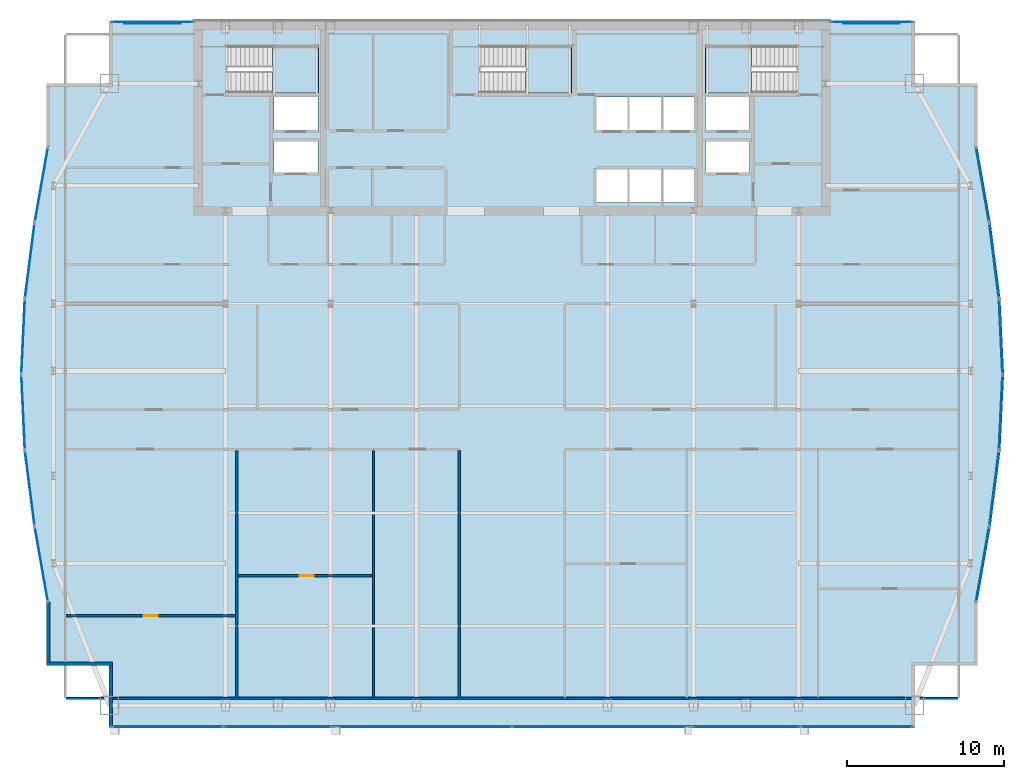
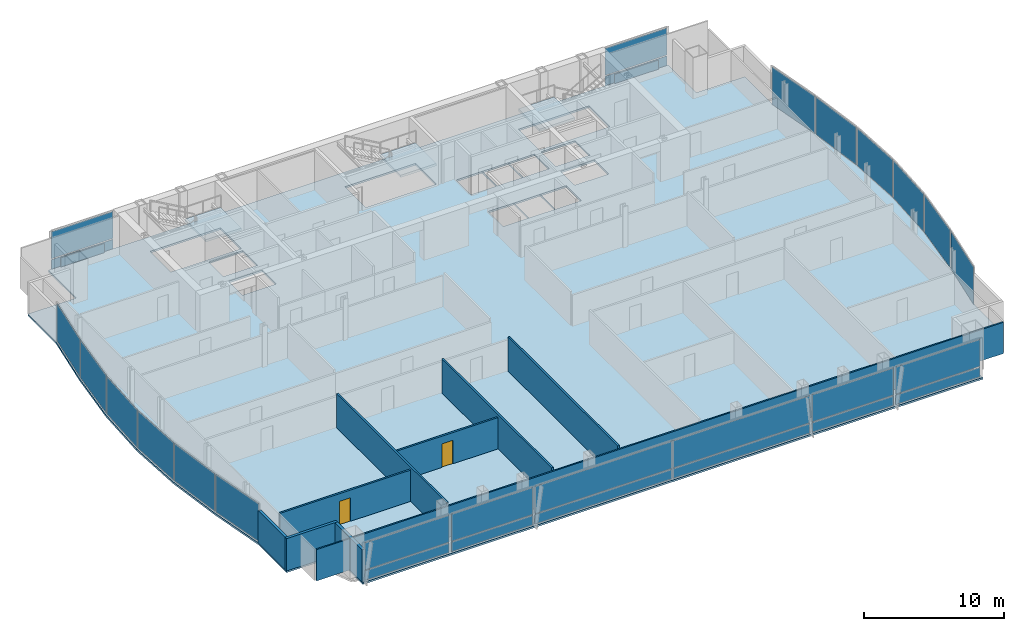
# One storey, part 24 of 30: 30 plates, 9 walls, 4 slabs, 2 doors, 2 openings, 22 elements without a shape of their own.
"""IFC4 building model written with IfcOpenShell, lengths in metres."""

import ifcopenshell
import ifcopenshell.guid

model = None  # the IFC model being written
_history = None  # IfcOwnerHistory: only IFC2X3 demands one
_inside = {}  # id of a spatial element -> (the spatial element, [elements in it])
_under = {}  # id of a project, library or spatial element -> (it, [spatial elements below it])
_declared = {}  # id of a project -> (the project, [libraries it declares])
_typed = {}  # id of a type object -> (the type object, [elements of that type])
_made_of = {}  # id of a material, layer set ... -> (it, [elements and type objects made of it])


def new_model(schema):
    """Start an empty IFC model of exactly this schema.

    Asked for "IFC4X3", IfcOpenShell would pick the latest addendum, in which some entities
    have other attributes; the version numbers below select the first issue.
    IFC2X3 requires an IfcOwnerHistory on every rooted entity: one is made here for all.
    """
    global model, _history
    if schema == "IFC4X3":
        model = ifcopenshell.file(schema_version=(4, 3, 0, 0))
    else:
        model = ifcopenshell.file(schema=schema)
    _inside.clear()
    _under.clear()
    _declared.clear()
    _typed.clear()
    _made_of.clear()
    _history = None
    if model.schema == "IFC2X3":
        org = make("IfcOrganization", Name="unknown")
        user = make(
            "IfcPersonAndOrganization",
            ThePerson=make("IfcPerson", FamilyName="unknown"),
            TheOrganization=org,
        )
        app = make(
            "IfcApplication",
            ApplicationDeveloper=org,
            Version="unknown",
            ApplicationFullName="unknown",
            ApplicationIdentifier="unknown",
        )
        _history = make(
            "IfcOwnerHistory",
            OwningUser=user,
            OwningApplication=app,
            ChangeAction="ADDED",
            CreationDate=0,
        )
    return model


def make(cls, **values):
    """One entity of the class cls with the attributes given. An attribute that is None is left unset."""
    return model.create_entity(
        cls, **{name: value for name, value in values.items() if value is not None}
    )


def rooted(cls, **values):
    """An entity with a GlobalId (a new one), such as an element, a storey or a relation."""
    return make(cls, GlobalId=ifcopenshell.guid.new(), OwnerHistory=_history, **values)


def si_unit(unit_type, name, prefix=None):
    """IfcSIUnit, for example si_unit("LENGTHUNIT", "METRE", prefix="MILLI")."""
    return make("IfcSIUnit", UnitType=unit_type, Prefix=prefix, Name=name)


def assignment(units):
    """IfcUnitAssignment: the units of a project."""
    return None if units is None else make("IfcUnitAssignment", Units=units)


def point(xyz):
    """IfcCartesianPoint."""
    return None if xyz is None else make("IfcCartesianPoint", Coordinates=xyz)


def direction(xyz):
    """IfcDirection."""
    return None if xyz is None else make("IfcDirection", DirectionRatios=xyz)


def frame(location, z_axis=None, x_axis=None):
    """IfcAxis2Placement3D, a coordinate frame: its origin and axes. An axis left out is left unset."""
    return make(
        "IfcAxis2Placement3D",
        Location=point(location),
        Axis=direction(z_axis),
        RefDirection=direction(x_axis),
    )


def frame_2d(location, x_axis=None):
    """IfcAxis2Placement2D, a coordinate frame in the plane: its origin and x axis."""
    return make(
        "IfcAxis2Placement2D", Location=point(location), RefDirection=direction(x_axis)
    )


def origin():
    """The frame at (0, 0, 0) with its axes left unset."""
    return frame((0.0, 0.0, 0.0))


def origin_2d():
    """The frame at (0, 0) in the plane with its x axis left unset."""
    return frame_2d((0.0, 0.0))


def place(relative_to, where):
    """IfcLocalPlacement: puts the frame where relative to a parent placement (None: the world)."""
    return make(
        "IfcLocalPlacement", PlacementRelTo=relative_to, RelativePlacement=where
    )


def context(
    kind, dimensions, precision=None, world=None, true_north=None, identifier=None
):
    """IfcGeometricRepresentationContext, for example the 3D "Model" context."""
    return make(
        "IfcGeometricRepresentationContext",
        ContextIdentifier=identifier,
        ContextType=kind,
        CoordinateSpaceDimension=dimensions,
        Precision=precision,
        WorldCoordinateSystem=world,
        TrueNorth=true_north,
    )


def subcontext(parent, identifier, kind, view, scale=None):
    """IfcGeometricRepresentationSubContext, for example "Body" below "Model"."""
    return make(
        "IfcGeometricRepresentationSubContext",
        ContextIdentifier=identifier,
        ContextType=kind,
        ParentContext=parent,
        TargetScale=scale,
        TargetView=view,
    )


def project(units=None, contexts=None):
    """IfcProject with its units and contexts."""
    return rooted(
        "IfcProject",
        Name="project",
        RepresentationContexts=contexts,
        UnitsInContext=assignment(units),
    )


def spatial(cls, under=None, at=None, **own):
    """A site, building, storey or space (cls), placed at a placement, below another one or the project."""
    s = rooted(cls, ObjectPlacement=at, **own)
    if under is not None:
        _under.setdefault(under.id(), (under, []))[1].append(s)
    return s


def polyline(points):
    """IfcPolyline through the points."""
    return make("IfcPolyline", Points=[point(p) for p in points])


def profile(cls, at=None, kind="AREA", **sizes):
    """A parametric profile (cls). Its sizes go by their IFC names, for example OverallWidth=200.0."""
    return make(cls, ProfileType=kind, Position=at, **sizes)


def rectangle(**sizes):
    """IfcRectangleProfileDef."""
    return profile("IfcRectangleProfileDef", **sizes)


def outline(outer, holes=None, kind="AREA"):
    """IfcArbitraryClosedProfileDef: a profile drawn as a closed curve; with holes, ...WithVoids."""
    if holes is None:
        return make("IfcArbitraryClosedProfileDef", ProfileType=kind, OuterCurve=outer)
    return make(
        "IfcArbitraryProfileDefWithVoids",
        ProfileType=kind,
        OuterCurve=outer,
        InnerCurves=holes,
    )


def extrude(swept, where, along, depth):
    """IfcExtrudedAreaSolid: the profile swept, set in the frame where, extruded along a direction by depth."""
    return make(
        "IfcExtrudedAreaSolid",
        SweptArea=swept,
        Position=where,
        ExtrudedDirection=direction(along),
        Depth=depth,
    )


def shape(context_of_items, identifier, shape_type, items):
    """IfcShapeRepresentation: the items that make up one representation, for example the "Body"."""
    return make(
        "IfcShapeRepresentation",
        ContextOfItems=context_of_items,
        RepresentationIdentifier=identifier,
        RepresentationType=shape_type,
        Items=items,
    )


def material(Name=None, Category=None):
    """IfcMaterial."""
    return make("IfcMaterial", Name=Name, Category=Category)


def layer(
    of_material, thickness, ventilated=None, Name=None, Category=None, Priority=None
):
    """IfcMaterialLayer: one layer of a wall or slab, of a material (None: an air gap)."""
    return make(
        "IfcMaterialLayer",
        Material=of_material,
        LayerThickness=thickness,
        IsVentilated=ventilated,
        Name=Name,
        Category=Category,
        Priority=Priority,
    )


def layer_set(layers, Name=None):
    """IfcMaterialLayerSet."""
    return make("IfcMaterialLayerSet", MaterialLayers=layers, LayerSetName=Name)


def made_of(thing, what):
    """Note that an element or type object is made of a material, layer set ...; save() writes the relation."""
    if what is not None:
        _made_of.setdefault(what.id(), (what, []))[1].append(thing)
    return thing


def type_object(cls, material=None, **own):
    """A type object (cls), such as IfcWallType, which elements share."""
    return made_of(rooted(cls, **own), material)


def element(
    cls,
    number,
    at=None,
    inside=None,
    cuts=None,
    type_object=None,
    material=None,
    context=None,
    identifier="Body",
    shape_type=None,
    held_by="IfcProductDefinitionShape",
    body=None,
    shapes=None,
    **own,
):
    """One element of the class cls, such as IfcWall. Its Tag is "e" and its number.

    at: its placement. inside: the storey or other place that contains it. cuts: it is an
    opening in that element (IfcRelVoidsElement). A single representation is given by context,
    identifier, shape_type and body (its items); several are given by shapes. held_by: the class
    of the entity that holds the representations. save() writes the other relations.
    """
    e = rooted(cls, Tag="e%d" % number, ObjectPlacement=at, **own)
    if body is not None:
        shapes = [shape(context, identifier, shape_type, body)]
    if shapes is not None:
        e.Representation = make(held_by, Representations=shapes)
    if inside is not None:
        _inside.setdefault(inside.id(), (inside, []))[1].append(e)
    if cuts is not None:
        rooted(
            "IfcRelVoidsElement", RelatingBuildingElement=cuts, RelatedOpeningElement=e
        )
    if type_object is not None:
        _typed.setdefault(type_object.id(), (type_object, []))[1].append(e)
    return made_of(e, material)


def fill(opening, filler):
    """IfcRelFillsElement: the door or window that sits in an opening."""
    return rooted(
        "IfcRelFillsElement",
        RelatingOpeningElement=opening,
        RelatedBuildingElement=filler,
    )


def aggregate(whole, parts):
    """IfcRelAggregates: a whole, such as a stair, and the parts it consists of."""
    return rooted("IfcRelAggregates", RelatingObject=whole, RelatedObjects=parts)


def save(model, path):
    """Write the relations noted so far, then the file.

    IfcRelAggregates (storeys below a building ...), IfcRelContainedInSpatialStructure (elements
    in a storey), IfcRelDefinesByType, IfcRelAssociatesMaterial and IfcRelDeclares: one each for
    every whole, place, type object, material and project.
    """
    for whole, parts in _under.values():
        aggregate(whole, parts)
    for where, things in _inside.values():
        rooted(
            "IfcRelContainedInSpatialStructure",
            RelatedElements=things,
            RelatingStructure=where,
        )
    for kind, things in _typed.values():
        rooted("IfcRelDefinesByType", RelatedObjects=things, RelatingType=kind)
    for what, things in _made_of.values():
        rooted("IfcRelAssociatesMaterial", RelatedObjects=things, RelatingMaterial=what)
    for by, libraries in _declared.values():
        rooted("IfcRelDeclares", RelatingContext=by, RelatedDefinitions=libraries)
    model.write(path)


model = new_model("IFC4")

# Units and contexts
model_context = context("Model", 3, precision=1e-05, world=origin(), true_north=direction((0.0, 1.0)))
body_context = subcontext(model_context, "Body", "Model", "MODEL_VIEW")
ifc_project = project(units=[si_unit("LENGTHUNIT", "METRE"), si_unit("AREAUNIT", "SQUARE_METRE"), si_unit("VOLUMEUNIT", "CUBIC_METRE"), si_unit("PLANEANGLEUNIT", "RADIAN"), si_unit("MASSUNIT", "GRAM", prefix="KILO")], contexts=[model_context])

# Site, building, storey
site_placement = place(None, origin())
site = spatial("IfcSite", under=ifc_project, at=site_placement, CompositionType="ELEMENT")
building_placement = place(site_placement, origin())
building = spatial("IfcBuilding", under=site, at=building_placement, Name="Khoronbel Lancet Exchange", CompositionType="ELEMENT")
storey_placement = place(building_placement, frame((0.0, 0.0, 203.0)))
storey = spatial("IfcBuildingStorey", under=building, at=storey_placement, Name="L51", CompositionType="ELEMENT", Elevation=203.0)

# Curtain wall, plate
ifc_material_1 = material(Name="Low-E Solar Control Insulating Glass", Category="glass")
curtain_wall_type_1 = type_object("IfcCurtainWallType", Name="CW-4", PredefinedType="NOTDEFINED", material=ifc_material_1)
curtain_wall_1_placement = place(storey_placement, origin())
curtain_wall_1 = element("IfcCurtainWall", 1, at=curtain_wall_1_placement, inside=storey, type_object=curtain_wall_type_1, Name="Unitised curtain wall CW-L51-E05", PredefinedType="NOTDEFINED")
ifc_material_2 = material(Name="Bronze-Anodised Aluminium 6063-T6", Category="aluminium")
ifc_layer_1 = layer(ifc_material_2, 0.050048828125, Name="Bronze-Anodised Aluminium 6063-T6")
ifc_layer_set_1 = layer_set([ifc_layer_1], Name="Bronze-Anodised Aluminium 6063-T6")
plate_type_1 = type_object("IfcPlateType", Name="PLT-CSP1", PredefinedType="SHEET", material=ifc_layer_set_1)
plate_1_placement = place(storey_placement, frame((5.780517578125, 23.960693359375, 0.0849609375), z_axis=(0.0, 0.0, 1.0), x_axis=(-0.127437435866, 0.991846611095, 0.0)))
plate_1 = element("IfcPlate", 2, at=plate_1_placement, type_object=plate_type_1, Name="CW4 panel 1.1", PredefinedType="CURTAIN_PANEL", context=body_context, shape_type="SweptSolid", body=[
    extrude(rectangle(XDim=4.717529296875, YDim=0.0380859375, at=origin_2d()), origin(), (0.0, 0.0, 1.0), 3.27001953125),
])
aggregate(curtain_wall_1, [plate_1])

curtain_wall_2_placement = place(storey_placement, origin())
curtain_wall_2 = element("IfcCurtainWall", 3, at=curtain_wall_2_placement, inside=storey, type_object=curtain_wall_type_1, Name="Unitised curtain wall CW-L51-E06", PredefinedType="NOTDEFINED")
plate_2_placement = place(storey_placement, frame((5.35693359375, 28.787353515625, 0.0849609375), z_axis=(0.0, 0.0, 1.0), x_axis=(-0.046970110118, 0.998896295296, 0.0)))
plate_2 = element("IfcPlate", 4, at=plate_2_placement, type_object=plate_type_1, Name="CW4 panel 1.1", PredefinedType="CURTAIN_PANEL", context=body_context, shape_type="SweptSolid", body=[
    extrude(rectangle(XDim=4.6806640625, YDim=0.0380859375, at=origin_2d()), origin(), (0.0, 0.0, 1.0), 3.27001953125),
])
aggregate(curtain_wall_2, [plate_2])

curtain_wall_3_placement = place(storey_placement, origin())
curtain_wall_3 = element("IfcCurtainWall", 5, at=curtain_wall_3_placement, inside=storey, type_object=curtain_wall_type_1, Name="Unitised curtain wall CW-L51-E07", PredefinedType="NOTDEFINED")
plate_3_placement = place(storey_placement, frame((5.35693359375, 33.61279296875, 0.0849609375), z_axis=(0.0, 0.0, 1.0), x_axis=(0.046970110118, 0.998896295296, 0.0)))
plate_3 = element("IfcPlate", 6, at=plate_3_placement, type_object=plate_type_1, Name="CW4 panel 1.1", PredefinedType="CURTAIN_PANEL", context=body_context, shape_type="SweptSolid", body=[
    extrude(rectangle(XDim=4.6806640625, YDim=0.0380859375, at=origin_2d()), origin(), (0.0, 0.0, 1.0), 3.27001953125),
])
aggregate(curtain_wall_3, [plate_3])

curtain_wall_4_placement = place(storey_placement, origin())
curtain_wall_4 = element("IfcCurtainWall", 7, at=curtain_wall_4_placement, inside=storey, type_object=curtain_wall_type_1, Name="Unitised curtain wall CW-L51-E08", PredefinedType="NOTDEFINED")
plate_4_placement = place(storey_placement, frame((5.780517578125, 38.439208984375, 0.0849609375), z_axis=(0.0, 0.0, 1.0), x_axis=(0.127437435866, 0.991846611095, 0.0)))
plate_4 = element("IfcPlate", 8, at=plate_4_placement, type_object=plate_type_1, Name="CW4 panel 1.1", PredefinedType="CURTAIN_PANEL", context=body_context, shape_type="SweptSolid", body=[
    extrude(rectangle(XDim=4.717529296875, YDim=0.0380859375, at=origin_2d()), origin(), (0.0, 0.0, 1.0), 3.27001953125),
])
aggregate(curtain_wall_4, [plate_4])

curtain_wall_type_2 = type_object("IfcCurtainWallType", Name="CW-3", PredefinedType="NOTDEFINED", material=ifc_material_1)
curtain_wall_5_placement = place(storey_placement, origin())
curtain_wall_5 = element("IfcCurtainWall", 9, at=curtain_wall_5_placement, inside=storey, type_object=curtain_wall_type_2, Name="Unitised curtain wall CW-L51-NWFLK", PredefinedType="NOTDEFINED")
plate_5_placement = place(storey_placement, frame((13.580078125, 53.550048828125, 0.0498046875), z_axis=(0.0, 0.0, 1.0), x_axis=(-1.0, 0.0, 0.0)))
plate_5 = element("IfcPlate", 10, at=plate_5_placement, type_object=plate_type_1, Name="Insulated bronze spandrel cassette CW-L51-NWFLK", PredefinedType="SHEET", context=body_context, shape_type="SweptSolid", body=[
    extrude(rectangle(XDim=3.60009765625, YDim=0.050048828125, at=origin_2d()), origin(), (0.0, 0.0, 1.0), 0.800048828125),
])

curtain_wall_6_placement = place(storey_placement, origin())
curtain_wall_6 = element("IfcCurtainWall", 11, at=curtain_wall_6_placement, inside=storey, type_object=curtain_wall_type_2, Name="Unitised curtain wall CW-L51-NEFLK", PredefinedType="NOTDEFINED")
plate_6_placement = place(storey_placement, frame((59.320068359375, 53.550048828125, 0.0498046875), z_axis=(0.0, 0.0, 1.0), x_axis=(-1.0, 0.0, 0.0)))
plate_6 = element("IfcPlate", 12, at=plate_6_placement, type_object=plate_type_1, Name="Insulated bronze spandrel cassette CW-L51-NEFLK", PredefinedType="SHEET", context=body_context, shape_type="SweptSolid", body=[
    extrude(rectangle(XDim=3.60009765625, YDim=0.050048828125, at=origin_2d()), origin(), (0.0, 0.0, 1.0), 0.800048828125),
])

curtain_wall_7_placement = place(storey_placement, origin())
curtain_wall_7 = element("IfcCurtainWall", 13, at=curtain_wall_7_placement, inside=storey, type_object=curtain_wall_type_1, Name="Unitised curtain wall CW-L51-E18", PredefinedType="NOTDEFINED")
plate_7_placement = place(storey_placement, frame((67.119384765625, 38.439208984375, 0.0849609375), z_axis=(0.0, 0.0, 1.0), x_axis=(0.127437435866, -0.991846611095, 0.0)))
plate_7 = element("IfcPlate", 14, at=plate_7_placement, type_object=plate_type_1, Name="CW4 panel 1.1", PredefinedType="CURTAIN_PANEL", context=body_context, shape_type="SweptSolid", body=[
    extrude(rectangle(XDim=4.717529296875, YDim=0.0380859375, at=origin_2d()), origin(), (0.0, 0.0, 1.0), 3.27001953125),
])
aggregate(curtain_wall_7, [plate_7])

curtain_wall_8_placement = place(storey_placement, origin())
curtain_wall_8 = element("IfcCurtainWall", 15, at=curtain_wall_8_placement, inside=storey, type_object=curtain_wall_type_1, Name="Unitised curtain wall CW-L51-E19", PredefinedType="NOTDEFINED")
plate_8_placement = place(storey_placement, frame((67.54296875, 33.61279296875, 0.0849609375), z_axis=(0.0, 0.0, 1.0), x_axis=(0.046970110118, -0.998896295296, 0.0)))
plate_8 = element("IfcPlate", 16, at=plate_8_placement, type_object=plate_type_1, Name="CW4 panel 1.1", PredefinedType="CURTAIN_PANEL", context=body_context, shape_type="SweptSolid", body=[
    extrude(rectangle(XDim=4.6806640625, YDim=0.0380859375, at=origin_2d()), origin(), (0.0, 0.0, 1.0), 3.27001953125),
])
aggregate(curtain_wall_8, [plate_8])

curtain_wall_9_placement = place(storey_placement, origin())
curtain_wall_9 = element("IfcCurtainWall", 17, at=curtain_wall_9_placement, inside=storey, type_object=curtain_wall_type_1, Name="Unitised curtain wall CW-L51-E20", PredefinedType="NOTDEFINED")
plate_9_placement = place(storey_placement, frame((67.54296875, 28.787353515625, 0.0849609375), z_axis=(0.0, 0.0, 1.0), x_axis=(-0.046970110118, -0.998896295296, 0.0)))
plate_9 = element("IfcPlate", 18, at=plate_9_placement, type_object=plate_type_1, Name="CW4 panel 1.1", PredefinedType="CURTAIN_PANEL", context=body_context, shape_type="SweptSolid", body=[
    extrude(rectangle(XDim=4.6806640625, YDim=0.0380859375, at=origin_2d()), origin(), (0.0, 0.0, 1.0), 3.27001953125),
])
aggregate(curtain_wall_9, [plate_9])

curtain_wall_10_placement = place(storey_placement, origin())
curtain_wall_10 = element("IfcCurtainWall", 19, at=curtain_wall_10_placement, inside=storey, type_object=curtain_wall_type_1, Name="Unitised curtain wall CW-L51-E21", PredefinedType="NOTDEFINED")
plate_10_placement = place(storey_placement, frame((67.119384765625, 23.960693359375, 0.0849609375), z_axis=(0.0, 0.0, 1.0), x_axis=(-0.127437435866, -0.991846611095, 0.0)))
plate_10 = element("IfcPlate", 20, at=plate_10_placement, type_object=plate_type_1, Name="CW4 panel 1.1", PredefinedType="CURTAIN_PANEL", context=body_context, shape_type="SweptSolid", body=[
    extrude(rectangle(XDim=4.717529296875, YDim=0.0380859375, at=origin_2d()), origin(), (0.0, 0.0, 1.0), 3.27001953125),
])
aggregate(curtain_wall_10, [plate_10])

# Curtain wall, plates
curtain_wall_11_placement = place(storey_placement, origin())
curtain_wall_11 = element("IfcCurtainWall", 21, at=curtain_wall_11_placement, inside=storey, type_object=curtain_wall_type_2, Name="Unitised curtain wall CW-L51-SWB", PredefinedType="NOTDEFINED")
plate_11_placement = place(storey_placement, frame((21.550048828125, 8.7900390625, 0.0849609375), z_axis=(0.0, 0.0, 1.0), x_axis=(1.0, 0.0, 0.0)))
plate_11 = element("IfcPlate", 22, at=plate_11_placement, type_object=plate_type_1, Name="CW3 panel 1.1", PredefinedType="CURTAIN_PANEL", context=body_context, shape_type="SweptSolid", body=[
    extrude(rectangle(XDim=6.72998046875, YDim=0.0380859375, at=origin_2d()), origin(), (0.0, 0.0, 1.0), 0.822509765625),
])
plate_12_placement = place(storey_placement, frame((21.550048828125, 8.7900390625, 0.99267578125), z_axis=(0.0, 0.0, 1.0), x_axis=(1.0, 0.0, 0.0)))
plate_12 = element("IfcPlate", 23, at=plate_12_placement, type_object=plate_type_1, Name="CW3 panel 1.2", PredefinedType="CURTAIN_PANEL", context=body_context, shape_type="SweptSolid", body=[
    extrude(rectangle(XDim=6.72998046875, YDim=0.0380859375, at=origin_2d()), origin(), (0.0, 0.0, 1.0), 2.362548828125),
])
aggregate(curtain_wall_11, [plate_11, plate_12])

curtain_wall_12_placement = place(storey_placement, origin())
curtain_wall_12 = element("IfcCurtainWall", 24, at=curtain_wall_12_placement, inside=storey, type_object=curtain_wall_type_2, Name="Unitised curtain wall CW-L51-SEB", PredefinedType="NOTDEFINED")
plate_13_placement = place(storey_placement, frame((51.35009765625, 8.7900390625, 0.0849609375), z_axis=(0.0, 0.0, 1.0), x_axis=(1.0, 0.0, 0.0)))
plate_13 = element("IfcPlate", 25, at=plate_13_placement, type_object=plate_type_1, Name="CW3 panel 1.1", PredefinedType="CURTAIN_PANEL", context=body_context, shape_type="SweptSolid", body=[
    extrude(rectangle(XDim=6.72998046875, YDim=0.0380859375, at=origin_2d()), origin(), (0.0, 0.0, 1.0), 0.822509765625),
])
plate_14_placement = place(storey_placement, frame((51.35009765625, 8.7900390625, 0.99267578125), z_axis=(0.0, 0.0, 1.0), x_axis=(1.0, 0.0, 0.0)))
plate_14 = element("IfcPlate", 26, at=plate_14_placement, type_object=plate_type_1, Name="CW3 panel 1.2", PredefinedType="CURTAIN_PANEL", context=body_context, shape_type="SweptSolid", body=[
    extrude(rectangle(XDim=6.72998046875, YDim=0.0380859375, at=origin_2d()), origin(), (0.0, 0.0, 1.0), 2.362548828125),
])
aggregate(curtain_wall_12, [plate_13, plate_14])

# Plate
ifc_layer_2 = layer(ifc_material_1, 0.035888671875, Name="Low-E Solar Control Insulating Glass")
ifc_layer_set_2 = layer_set([ifc_layer_2], Name="Low-E Solar Control Insulating Glass")
plate_type_2 = type_object("IfcPlateType", Name="PLT-CWP1", PredefinedType="CURTAIN_PANEL", material=ifc_layer_set_2)
plate_15_placement = place(storey_placement, frame((13.580078125, 53.610107421875, 0.0849609375), z_axis=(0.0, 0.0, 1.0), x_axis=(-1.0, 0.0, 0.0)))
plate_15 = element("IfcPlate", 27, at=plate_15_placement, type_object=plate_type_2, Name="CW3 panel 1.1", PredefinedType="CURTAIN_PANEL", context=body_context, shape_type="SweptSolid", body=[
    extrude(rectangle(XDim=5.110107421875, YDim=0.0380859375, at=origin_2d()), origin(), (0.0, 0.0, 1.0), 0.822509765625),
])

plate_16_placement = place(storey_placement, frame((13.580078125, 53.610107421875, 0.99267578125), z_axis=(0.0, 0.0, 1.0), x_axis=(-1.0, 0.0, 0.0)))
plate_16 = element("IfcPlate", 28, at=plate_16_placement, type_object=plate_type_2, Name="CW3 panel 1.2", PredefinedType="CURTAIN_PANEL", context=body_context, shape_type="SweptSolid", body=[
    extrude(rectangle(XDim=5.110107421875, YDim=0.0380859375, at=origin_2d()), origin(), (0.0, 0.0, 1.0), 2.362548828125),
])

aggregate(curtain_wall_5, [plate_15, plate_16, plate_5])

plate_17_placement = place(storey_placement, frame((59.320068359375, 53.610107421875, 0.0849609375), z_axis=(0.0, 0.0, 1.0), x_axis=(-1.0, 0.0, 0.0)))
plate_17 = element("IfcPlate", 29, at=plate_17_placement, type_object=plate_type_2, Name="CW3 panel 1.1", PredefinedType="CURTAIN_PANEL", context=body_context, shape_type="SweptSolid", body=[
    extrude(rectangle(XDim=5.110107421875, YDim=0.0380859375, at=origin_2d()), origin(), (0.0, 0.0, 1.0), 0.822509765625),
])

plate_18_placement = place(storey_placement, frame((59.320068359375, 53.610107421875, 0.99267578125), z_axis=(0.0, 0.0, 1.0), x_axis=(-1.0, 0.0, 0.0)))
plate_18 = element("IfcPlate", 30, at=plate_18_placement, type_object=plate_type_2, Name="CW3 panel 1.2", PredefinedType="CURTAIN_PANEL", context=body_context, shape_type="SweptSolid", body=[
    extrude(rectangle(XDim=5.110107421875, YDim=0.0380859375, at=origin_2d()), origin(), (0.0, 0.0, 1.0), 2.362548828125),
])

aggregate(curtain_wall_6, [plate_17, plate_18, plate_6])

# Curtain wall, plates
curtain_wall_13_placement = place(storey_placement, origin())
curtain_wall_13 = element("IfcCurtainWall", 31, at=curtain_wall_13_placement, inside=storey, type_object=curtain_wall_type_2, Name="Unitised curtain wall CW-L51-SWV", PredefinedType="NOTDEFINED")
plate_19_placement = place(storey_placement, frame((14.52001953125, 8.7900390625, 0.0849609375), z_axis=(0.0, 0.0, 1.0), x_axis=(1.0, 0.0, 0.0)))
plate_19 = element("IfcPlate", 32, at=plate_19_placement, type_object=plate_type_2, Name="CW3 panel 1.1", PredefinedType="CURTAIN_PANEL", context=body_context, shape_type="SweptSolid", body=[
    extrude(rectangle(XDim=6.989990234375, YDim=0.0380859375, at=origin_2d()), origin(), (0.0, 0.0, 1.0), 0.822509765625),
])
plate_20_placement = place(storey_placement, frame((14.52001953125, 8.7900390625, 0.99267578125), z_axis=(0.0, 0.0, 1.0), x_axis=(1.0, 0.0, 0.0)))
plate_20 = element("IfcPlate", 33, at=plate_20_placement, type_object=plate_type_2, Name="CW3 panel 1.2", PredefinedType="CURTAIN_PANEL", context=body_context, shape_type="SweptSolid", body=[
    extrude(rectangle(XDim=6.989990234375, YDim=0.0380859375, at=origin_2d()), origin(), (0.0, 0.0, 1.0), 2.362548828125),
])
aggregate(curtain_wall_13, [plate_19, plate_20])

curtain_wall_14_placement = place(storey_placement, origin())
curtain_wall_14 = element("IfcCurtainWall", 34, at=curtain_wall_14_placement, inside=storey, type_object=curtain_wall_type_2, Name="Unitised curtain wall CW-L51-SCV", PredefinedType="NOTDEFINED")
plate_21_placement = place(storey_placement, frame((30.746337890625, 8.7900390625, 0.0849609375), z_axis=(0.0, 0.0, 1.0), x_axis=(1.0, 0.0, 0.0)))
plate_21 = element("IfcPlate", 35, at=plate_21_placement, type_object=plate_type_2, Name="CW3 panel 1.1", PredefinedType="CURTAIN_PANEL", context=body_context, shape_type="SweptSolid", body=[
    extrude(rectangle(XDim=11.322509765625, YDim=0.0380859375, at=origin_2d()), origin(), (0.0, 0.0, 1.0), 0.822509765625),
])
plate_22_placement = place(storey_placement, frame((30.746337890625, 8.7900390625, 0.99267578125), z_axis=(0.0, 0.0, 1.0), x_axis=(1.0, 0.0, 0.0)))
plate_22 = element("IfcPlate", 36, at=plate_22_placement, type_object=plate_type_2, Name="CW3 panel 1.2", PredefinedType="CURTAIN_PANEL", context=body_context, shape_type="SweptSolid", body=[
    extrude(rectangle(XDim=11.322509765625, YDim=0.0380859375, at=origin_2d()), origin(), (0.0, 0.0, 1.0), 2.362548828125),
])
plate_23_placement = place(storey_placement, frame((42.15380859375, 8.7900390625, 0.0849609375), z_axis=(0.0, 0.0, 1.0), x_axis=(1.0, 0.0, 0.0)))
plate_23 = element("IfcPlate", 37, at=plate_23_placement, type_object=plate_type_2, Name="CW3 panel 2.1", PredefinedType="CURTAIN_PANEL", context=body_context, shape_type="SweptSolid", body=[
    extrude(rectangle(XDim=11.322509765625, YDim=0.0380859375, at=origin_2d()), origin(), (0.0, 0.0, 1.0), 0.822509765625),
])
plate_24_placement = place(storey_placement, frame((42.15380859375, 8.7900390625, 0.99267578125), z_axis=(0.0, 0.0, 1.0), x_axis=(1.0, 0.0, 0.0)))
plate_24 = element("IfcPlate", 38, at=plate_24_placement, type_object=plate_type_2, Name="CW3 panel 2.2", PredefinedType="CURTAIN_PANEL", context=body_context, shape_type="SweptSolid", body=[
    extrude(rectangle(XDim=11.322509765625, YDim=0.0380859375, at=origin_2d()), origin(), (0.0, 0.0, 1.0), 2.362548828125),
])
aggregate(curtain_wall_14, [plate_21, plate_22, plate_23, plate_24])

curtain_wall_15_placement = place(storey_placement, origin())
curtain_wall_15 = element("IfcCurtainWall", 39, at=curtain_wall_15_placement, inside=storey, type_object=curtain_wall_type_2, Name="Unitised curtain wall CW-L51-SEV", PredefinedType="NOTDEFINED")
plate_25_placement = place(storey_placement, frame((58.3798828125, 8.7900390625, 0.0849609375), z_axis=(0.0, 0.0, 1.0), x_axis=(1.0, 0.0, 0.0)))
plate_25 = element("IfcPlate", 40, at=plate_25_placement, type_object=plate_type_2, Name="CW3 panel 1.1", PredefinedType="CURTAIN_PANEL", context=body_context, shape_type="SweptSolid", body=[
    extrude(rectangle(XDim=6.989990234375, YDim=0.0380859375, at=origin_2d()), origin(), (0.0, 0.0, 1.0), 0.822509765625),
])
plate_26_placement = place(storey_placement, frame((58.3798828125, 8.7900390625, 0.99267578125), z_axis=(0.0, 0.0, 1.0), x_axis=(1.0, 0.0, 0.0)))
plate_26 = element("IfcPlate", 41, at=plate_26_placement, type_object=plate_type_2, Name="CW3 panel 1.2", PredefinedType="CURTAIN_PANEL", context=body_context, shape_type="SweptSolid", body=[
    extrude(rectangle(XDim=6.989990234375, YDim=0.0380859375, at=origin_2d()), origin(), (0.0, 0.0, 1.0), 2.362548828125),
])
aggregate(curtain_wall_15, [plate_25, plate_26])

# Curtain wall, plate
curtain_wall_16_placement = place(storey_placement, origin())
curtain_wall_16 = element("IfcCurtainWall", 42, at=curtain_wall_16_placement, inside=storey, type_object=curtain_wall_type_1, Name="Unitised curtain wall CW-L51-E04", PredefinedType="NOTDEFINED")
ifc_material_3 = material(Name="Ceramic-Fritted Laminated Insulating Glass", Category="glass")
ifc_layer_3 = layer(ifc_material_3, 0.0419921875, Name="Ceramic-Fritted Laminated Insulating Glass")
ifc_layer_set_3 = layer_set([ifc_layer_3], Name="Ceramic-Fritted Laminated Insulating Glass")
plate_type_3 = type_object("IfcPlateType", Name="PLT-CWP2", PredefinedType="CURTAIN_PANEL", material=ifc_layer_set_3)
plate_27_placement = place(storey_placement, frame((6.515380859375, 19.127197265625, 0.0849609375), z_axis=(0.0, 0.0, 1.0), x_axis=(-0.172869110092, 0.984944805954, 0.0)))
plate_27 = element("IfcPlate", 43, at=plate_27_placement, type_object=plate_type_3, Name="CW4 panel 1.1", PredefinedType="CURTAIN_PANEL", context=body_context, shape_type="SweptSolid", body=[
    extrude(rectangle(XDim=4.762939453125, YDim=0.0380859375, at=origin_2d()), origin(), (0.0, 0.0, 1.0), 3.27001953125),
])
aggregate(curtain_wall_16, [plate_27])

curtain_wall_17_placement = place(storey_placement, origin())
curtain_wall_17 = element("IfcCurtainWall", 44, at=curtain_wall_17_placement, inside=storey, type_object=curtain_wall_type_1, Name="Unitised curtain wall CW-L51-E09", PredefinedType="NOTDEFINED")
plate_28_placement = place(storey_placement, frame((6.515380859375, 43.272705078125, 0.0849609375), z_axis=(0.0, 0.0, 1.0), x_axis=(0.172869110092, 0.984944805954, 0.0)))
plate_28 = element("IfcPlate", 45, at=plate_28_placement, type_object=plate_type_3, Name="CW4 panel 1.1", PredefinedType="CURTAIN_PANEL", context=body_context, shape_type="SweptSolid", body=[
    extrude(rectangle(XDim=4.762939453125, YDim=0.0380859375, at=origin_2d()), origin(), (0.0, 0.0, 1.0), 3.27001953125),
])
aggregate(curtain_wall_17, [plate_28])

curtain_wall_18_placement = place(storey_placement, origin())
curtain_wall_18 = element("IfcCurtainWall", 46, at=curtain_wall_18_placement, inside=storey, type_object=curtain_wall_type_1, Name="Unitised curtain wall CW-L51-E17", PredefinedType="NOTDEFINED")
plate_29_placement = place(storey_placement, frame((66.384765625, 43.272705078125, 0.0849609375), z_axis=(0.0, 0.0, 1.0), x_axis=(0.172869110092, -0.984944805954, 0.0)))
plate_29 = element("IfcPlate", 47, at=plate_29_placement, type_object=plate_type_3, Name="CW4 panel 1.1", PredefinedType="CURTAIN_PANEL", context=body_context, shape_type="SweptSolid", body=[
    extrude(rectangle(XDim=4.762939453125, YDim=0.0380859375, at=origin_2d()), origin(), (0.0, 0.0, 1.0), 3.27001953125),
])
aggregate(curtain_wall_18, [plate_29])

curtain_wall_19_placement = place(storey_placement, origin())
curtain_wall_19 = element("IfcCurtainWall", 48, at=curtain_wall_19_placement, inside=storey, type_object=curtain_wall_type_1, Name="Unitised curtain wall CW-L51-E22", PredefinedType="NOTDEFINED")
plate_30_placement = place(storey_placement, frame((66.384765625, 19.127197265625, 0.0849609375), z_axis=(0.0, 0.0, 1.0), x_axis=(-0.172869110092, -0.984944805954, 0.0)))
plate_30 = element("IfcPlate", 49, at=plate_30_placement, type_object=plate_type_3, Name="CW4 panel 1.1", PredefinedType="CURTAIN_PANEL", context=body_context, shape_type="SweptSolid", body=[
    extrude(rectangle(XDim=4.762939453125, YDim=0.0380859375, at=origin_2d()), origin(), (0.0, 0.0, 1.0), 3.27001953125),
])
aggregate(curtain_wall_19, [plate_30])

# Slab
ifc_material_4 = material(Name="Concrete C40/50", Category="concrete")
ifc_layer_4 = layer(ifc_material_4, 0.159912109375, Name="Concrete C40/50")
ifc_layer_set_4 = layer_set([ifc_layer_4], Name="Concrete C40/50")
slab_type_1 = type_object("IfcSlabType", Name="SL-FL160", PredefinedType="FLOOR", material=ifc_layer_set_4)
slab_1_placement = place(storey_placement, frame((0.0, 0.0, -0.159912109375)))
element("IfcSlab", 50, at=slab_1_placement, inside=storey, type_object=slab_type_1, Name="Level L51 composite structural floor slab", PredefinedType="FLOOR", context=body_context, shape_type="SweptSolid", body=[
    extrude(outline(polyline([(10.85009765625, 8.699951171875), (62.050048828125, 8.699951171875), (62.050048828125, 12.699951171875), (66.050048828125, 12.699951171875), (66.050048828125, 16.699951171875), (66.898193359375, 21.533203125), (67.519287109375, 26.36669921875), (67.74658203125, 31.199951171875), (67.519287109375, 36.033203125), (66.898193359375, 40.86669921875), (66.050048828125, 45.699951171875), (66.050048828125, 49.699951171875), (62.050048828125, 49.699951171875), (62.050048828125, 53.699951171875), (10.85009765625, 53.699951171875), (10.85009765625, 49.699951171875), (6.85009765625, 49.699951171875), (6.85009765625, 45.699951171875), (6.001708984375, 40.86669921875), (5.380615234375, 36.033203125), (5.1533203125, 31.199951171875), (5.380615234375, 26.36669921875), (6.001708984375, 21.533203125), (6.85009765625, 16.699951171875), (6.85009765625, 12.699951171875), (10.85009765625, 12.699951171875), (10.85009765625, 8.699951171875)]), holes=[polyline([(18.324951171875, 49.1201171875), (24.14990234375, 49.1201171875), (24.14990234375, 52.10009765625), (18.324951171875, 52.10009765625), (18.324951171875, 49.1201171875)]), polyline([(48.75, 49.1201171875), (54.574951171875, 49.1201171875), (54.574951171875, 52.10009765625), (48.75, 52.10009765625), (48.75, 49.1201171875)]), polyline([(34.425048828125, 49.1201171875), (40.25, 49.1201171875), (40.25, 52.10009765625), (34.425048828125, 52.10009765625), (34.425048828125, 49.1201171875)]), polyline([(41.739990234375, 46.75), (43.8798828125, 46.75), (43.8798828125, 48.85009765625), (41.739990234375, 48.85009765625), (41.739990234375, 46.75)]), polyline([(43.89990234375, 46.75), (46.0400390625, 46.75), (46.0400390625, 48.85009765625), (43.89990234375, 48.85009765625), (43.89990234375, 46.75)]), polyline([(46.06005859375, 46.75), (48.199951171875, 46.75), (48.199951171875, 48.85009765625), (46.06005859375, 48.85009765625), (46.06005859375, 46.75)]), polyline([(41.739990234375, 42.14990234375), (43.8798828125, 42.14990234375), (43.8798828125, 44.300048828125), (41.739990234375, 44.300048828125), (41.739990234375, 42.14990234375)]), polyline([(43.89990234375, 42.14990234375), (46.0400390625, 42.14990234375), (46.0400390625, 44.300048828125), (43.89990234375, 44.300048828125), (43.89990234375, 42.14990234375)]), polyline([(46.06005859375, 42.14990234375), (48.199951171875, 42.14990234375), (48.199951171875, 44.300048828125), (46.06005859375, 44.300048828125), (46.06005859375, 42.14990234375)]), polyline([(21.300048828125, 46.75), (24.10009765625, 46.75), (24.10009765625, 48.85009765625), (21.300048828125, 48.85009765625), (21.300048828125, 46.75)]), polyline([(48.75, 46.75), (51.550048828125, 46.75), (51.550048828125, 48.85009765625), (48.75, 48.85009765625), (48.75, 46.75)]), polyline([(21.300048828125, 44.050048828125), (24.10009765625, 44.050048828125), (24.10009765625, 46.050048828125), (21.300048828125, 46.050048828125), (21.300048828125, 44.050048828125)]), polyline([(48.75, 44.050048828125), (51.550048828125, 44.050048828125), (51.550048828125, 46.050048828125), (48.75, 46.050048828125), (48.75, 44.050048828125)])]), origin(), (0.0, 0.0, 1.0), 0.159912109375),
])

# Stair, slab
stair_type = type_object("IfcStairType", Name="STR-CORE150", PredefinedType="HALF_TURN_STAIR", material=ifc_material_4)
stair_1_placement = place(storey_placement, origin())
stair_1 = element("IfcStair", 51, at=stair_1_placement, inside=storey, type_object=stair_type, Name="L51 Protected Exit Stair ST1", PredefinedType="HALF_TURN_STAIR")
ifc_layer_5 = layer(ifc_material_4, 0.199951171875, Name="Concrete C40/50")
ifc_layer_set_5 = layer_set([ifc_layer_5], Name="Concrete C40/50")
slab_type_2 = type_object("IfcSlabType", Name="SL-LND180", PredefinedType="LANDING", material=ifc_layer_set_5)
slab_2_placement = place(storey_placement, frame((0.0, 0.0, 1.60009765625)))
slab_2 = element("IfcSlab", 52, at=slab_2_placement, type_object=slab_type_2, Name="ST1 landing 1", PredefinedType="LANDING", context=body_context, shape_type="SweptSolid", body=[
    extrude(outline(polyline([(21.199951171875, 49.1201171875), (24.14990234375, 49.1201171875), (24.14990234375, 52.10009765625), (21.199951171875, 52.10009765625), (21.199951171875, 49.1201171875)])), origin(), (0.0, 0.0, 1.0), 0.199951171875),
])
aggregate(stair_1, [slab_2])

stair_2_placement = place(storey_placement, origin())
stair_2 = element("IfcStair", 53, at=stair_2_placement, inside=storey, type_object=stair_type, Name="L51 Protected Exit Stair ST2", PredefinedType="HALF_TURN_STAIR")
slab_3_placement = place(storey_placement, frame((0.0, 0.0, 1.60009765625)))
slab_3 = element("IfcSlab", 54, at=slab_3_placement, type_object=slab_type_2, Name="ST2 landing 1", PredefinedType="LANDING", context=body_context, shape_type="SweptSolid", body=[
    extrude(outline(polyline([(51.699951171875, 52.10009765625), (48.75, 52.10009765625), (48.75, 49.1201171875), (51.699951171875, 49.1201171875), (51.699951171875, 52.10009765625)])), origin(), (0.0, 0.0, 1.0), 0.199951171875),
])
aggregate(stair_2, [slab_3])

stair_3_placement = place(storey_placement, origin())
stair_3 = element("IfcStair", 55, at=stair_3_placement, inside=storey, type_object=stair_type, Name="L51 Protected Exit Stair ST3", PredefinedType="HALF_TURN_STAIR")
slab_4_placement = place(storey_placement, frame((0.0, 0.0, 1.60009765625)))
slab_4 = element("IfcSlab", 56, at=slab_4_placement, type_object=slab_type_2, Name="ST3 landing 1", PredefinedType="LANDING", context=body_context, shape_type="SweptSolid", body=[
    extrude(outline(polyline([(37.300048828125, 49.1201171875), (40.25, 49.1201171875), (40.25, 52.10009765625), (37.300048828125, 52.10009765625), (37.300048828125, 49.1201171875)])), origin(), (0.0, 0.0, 1.0), 0.199951171875),
])
aggregate(stair_3, [slab_4])

# Walls
ifc_material_5 = material(Name="Precast concrete C40/50", Category="concrete")
ifc_layer_6 = layer(ifc_material_5, 0.25, Name="Precast concrete C40/50")
ifc_layer_set_6 = layer_set([ifc_layer_6], Name="Precast concrete C40/50")
wall_type_1 = type_object("IfcWallType", Name="WL-EXT250", PredefinedType="SOLIDWALL", material=ifc_layer_set_6)
wall_1_placement = place(storey_placement, frame((10.93994140625, 8.77001953125, 0.0), z_axis=(0.0, 0.0, 1.0), x_axis=(0.0, 1.0, 0.0)))
element("IfcWall", 57, at=wall_1_placement, inside=storey, type_object=wall_type_1, Name="Level L51 notched-corner limestone pier 01", PredefinedType="SOLIDWALL", context=body_context, shape_type="SweptSolid", body=[
    extrude(rectangle(XDim=3.909912109375, YDim=0.219970703125, at=frame_2d((1.955078125, 0.0))), origin(), (0.0, 0.0, 1.0), 2.830078125),
])
wall_2_placement = place(storey_placement, frame((11.050048828125, 12.7900390625, 0.0), z_axis=(0.0, 0.0, 1.0), x_axis=(-1.0, 0.0, 0.0)))
element("IfcWall", 58, at=wall_2_placement, inside=storey, type_object=wall_type_1, Name="Level L51 notched-corner limestone pier 02", PredefinedType="SOLIDWALL", context=body_context, shape_type="SweptSolid", body=[
    extrude(rectangle(XDim=4.219970703125, YDim=0.219970703125, at=frame_2d((2.10986328125, 0.0))), origin(), (0.0, 0.0, 1.0), 2.830078125),
])
wall_3_placement = place(storey_placement, frame((6.93994140625, 12.89990234375, 0.0), z_axis=(0.0, 0.0, 1.0), x_axis=(0.0, 1.0, 0.0)))
element("IfcWall", 59, at=wall_3_placement, inside=storey, type_object=wall_type_1, Name="Level L51 notched-corner limestone pier 03", PredefinedType="SOLIDWALL", context=body_context, shape_type="SweptSolid", body=[
    extrude(rectangle(XDim=3.827880859375, YDim=0.219970703125, at=frame_2d((1.9140625, 0.0))), origin(), (0.0, 0.0, 1.0), 2.830078125),
])

# Wall, opening, door
ifc_material_6 = material(Name="Acoustic Metal-Stud & Mineral-Wool Gypsum Partition 120 mm", Category="gypsum")
ifc_layer_7 = layer(ifc_material_6, 0.1201171875, Name="Acoustic Metal-Stud & Mineral-Wool Gypsum Partition 120 mm")
ifc_layer_set_7 = layer_set([ifc_layer_7], Name="Acoustic Metal-Stud & Mineral-Wool Gypsum Partition 120 mm")
wall_type_2 = type_object("IfcWallType", Name="WL-PRT120", PredefinedType="PARTITIONING", material=ifc_layer_set_7)
wall_4_placement = place(storey_placement, frame((8.094970703125, 15.847900390625, 0.0), z_axis=(0.0, 0.0, 1.0), x_axis=(1.0, 0.0, 0.0)))
wall_4 = element("IfcWall", 60, at=wall_4_placement, inside=storey, type_object=wall_type_2, Name="Level L51 interior partition PW-Z3SW-H1", PredefinedType="PARTITIONING", context=body_context, shape_type="SweptSolid", body=[
    extrude(rectangle(XDim=10.77734375, YDim=0.14990234375, at=frame_2d((5.388671875, 0.0))), origin(), (0.0, 0.0, 1.0), 2.72998046875),
])
opening_1_placement = place(wall_4_placement, frame((4.9150390625, 0.0, 0.0)))
opening_1 = element("IfcOpeningElement", 61, at=opening_1_placement, cuts=wall_4, Name="Opening D5", PredefinedType="OPENING", context=body_context, shape_type="SweptSolid", body=[
    extrude(rectangle(XDim=0.89990234375, YDim=2.050048828125, at=frame_2d((0.449951171875, 1.02490234375))), frame((0.0, 0.0849609375, 0.0), z_axis=(0.0, -1.0, 0.0), x_axis=(1.0, 0.0, 0.0)), (0.0, 0.0, 1.0), 0.169921875),
])
ifc_material_7 = material(Name="Acoustic Timber Pantry & Support Door", Category="wood")
door_type = type_object("IfcDoorType", Name="DR-D5", OperationType="NOTDEFINED", PredefinedType="DOOR", material=ifc_material_7)
door_1_placement = place(opening_1_placement, origin())
door_1 = element("IfcDoor", 62, at=door_1_placement, inside=storey, type_object=door_type, Name="Z3SW inner door 1 L51-1", OperationType="SINGLE_SWING_RIGHT", OverallHeight=2.050048828125, OverallWidth=0.89990234375, PredefinedType="DOOR", context=body_context, shape_type="SweptSolid", body=[
    extrude(rectangle(XDim=0.89990234375, YDim=2.050048828125, at=frame_2d((0.449951171875, 1.02490234375))), frame((0.0, 0.02490234375, 0.0), z_axis=(0.0, -1.0, 0.0), x_axis=(1.0, 0.0, 0.0)), (0.0, 0.0, 1.0), 0.050048828125),
])
fill(opening_1, door_1)

wall_5_placement = place(storey_placement, frame((19.0322265625, 18.39306640625, 0.0), z_axis=(0.0, 0.0, 1.0), x_axis=(1.0, 0.0, 0.0)))
wall_5 = element("IfcWall", 63, at=wall_5_placement, inside=storey, type_object=wall_type_2, Name="Level L51 interior partition PW-Z3SW-H2", PredefinedType="PARTITIONING", context=body_context, shape_type="SweptSolid", body=[
    extrude(rectangle(XDim=8.526611328125, YDim=0.14990234375, at=frame_2d((4.26318359375, 0.0))), origin(), (0.0, 0.0, 1.0), 2.72998046875),
])
opening_2_placement = place(wall_5_placement, frame((3.908935546875, 0.0, 0.0)))
opening_2 = element("IfcOpeningElement", 64, at=opening_2_placement, cuts=wall_5, Name="Opening D5", PredefinedType="OPENING", context=body_context, shape_type="SweptSolid", body=[
    extrude(rectangle(XDim=0.89990234375, YDim=2.050048828125, at=frame_2d((0.449951171875, 1.02490234375))), frame((0.0, 0.0849609375, 0.0), z_axis=(0.0, -1.0, 0.0), x_axis=(1.0, 0.0, 0.0)), (0.0, 0.0, 1.0), 0.169921875),
])
door_2_placement = place(opening_2_placement, origin())
door_2 = element("IfcDoor", 65, at=door_2_placement, inside=storey, type_object=door_type, Name="Z3SW inner door 2 L51-1", OperationType="SINGLE_SWING_RIGHT", OverallHeight=2.050048828125, OverallWidth=0.89990234375, PredefinedType="DOOR", context=body_context, shape_type="SweptSolid", body=[
    extrude(rectangle(XDim=0.89990234375, YDim=2.050048828125, at=frame_2d((0.449951171875, 1.02490234375))), frame((0.0, 0.02490234375, 0.0), z_axis=(0.0, -1.0, 0.0), x_axis=(1.0, 0.0, 0.0)), (0.0, 0.0, 1.0), 0.050048828125),
])
fill(opening_2, door_2)

# Walls
wall_6_placement = place(storey_placement, frame((8.094970703125, 10.60009765625, 0.0), z_axis=(0.0, 0.0, 1.0), x_axis=(1.0, 0.0, 0.0)))
element("IfcWall", 66, at=wall_6_placement, inside=storey, type_object=wall_type_2, Name="Level L51 interior partition PW-LIN-S", PredefinedType="PARTITIONING", context=body_context, shape_type="SweptSolid", body=[
    extrude(rectangle(XDim=56.7099609375, YDim=0.1201171875, at=frame_2d((28.35498046875, 0.0))), origin(), (0.0, 0.0, 1.0), 2.72998046875),
])
ifc_material_8 = material(Name="Fire-Rated Twin-Stud Acoustic Gypsum Partition 150 mm", Category="gypsum")
ifc_layer_8 = layer(ifc_material_8, 0.14990234375, Name="Fire-Rated Twin-Stud Acoustic Gypsum Partition 150 mm")
ifc_layer_set_8 = layer_set([ifc_layer_8], Name="Fire-Rated Twin-Stud Acoustic Gypsum Partition 150 mm")
wall_type_3 = type_object("IfcWallType", Name="WL-PRT150C", PredefinedType="PARTITIONING", material=ifc_layer_set_8)
for number, where, z_axis, x_axis, name in (
    (67, (33.10009765625, 10.6650390625, 0.0), (0.0, 0.0, 1.0), (0.0, 1.0, 0.0), "Level L51 interior partition PW-Z3-CW1"),
    (68, (18.9521484375, 10.6650390625, 0.0), (0.0, 0.0, 1.0), (0.0, 1.0, 0.0), "Level L51 interior partition PW-Z3SW-V1"),
    (69, (27.638916015625, 10.6650390625, 0.0), (0.0, 0.0, 1.0), (0.0, 1.0, 0.0), "Level L51 interior partition PW-Z3SW-V2"),
):
    element("IfcWall", number, at=place(storey_placement, frame(where, z_axis=z_axis, x_axis=x_axis)), inside=storey, type_object=wall_type_3, Name=name, PredefinedType="PARTITIONING", context=body_context, shape_type="SweptSolid", body=[
        extrude(rectangle(XDim=15.699951171875, YDim=0.14990234375, at=frame_2d((7.85009765625, 0.0))), origin(), (0.0, 0.0, 1.0), 2.97998046875),
    ])

save(model, "model.ifc")
